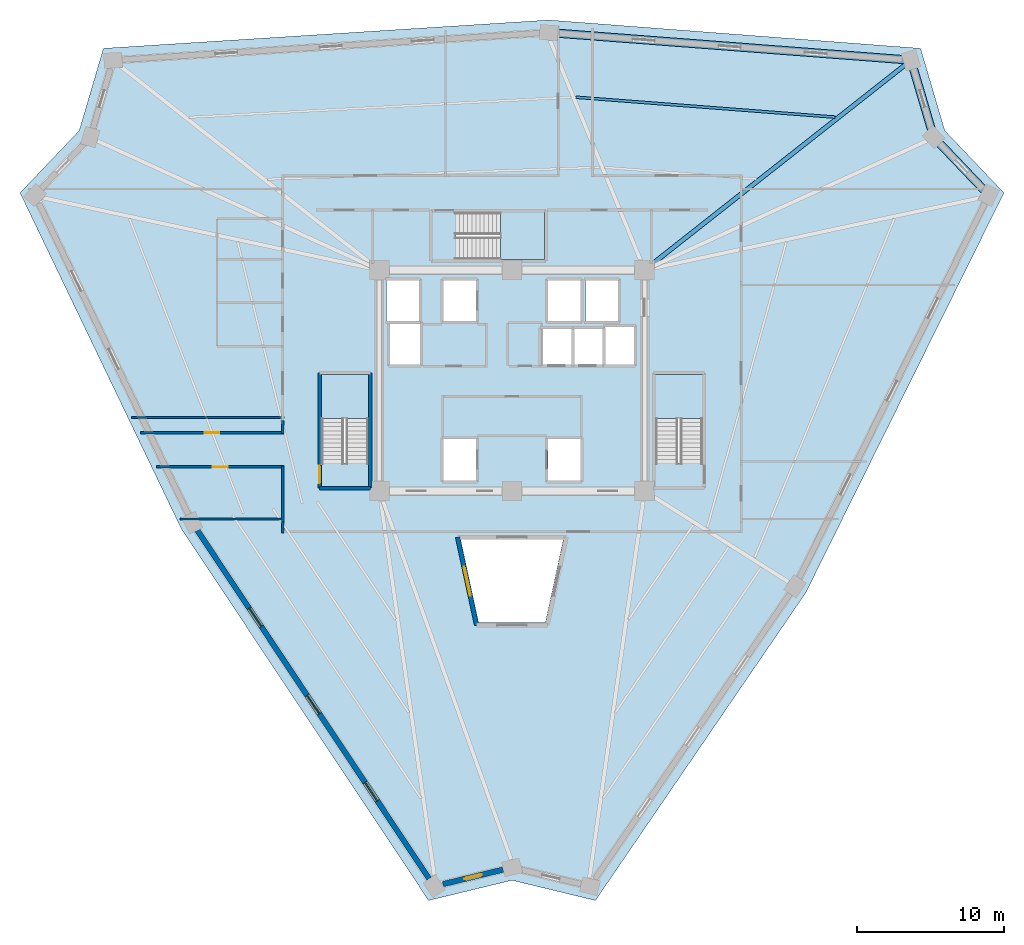
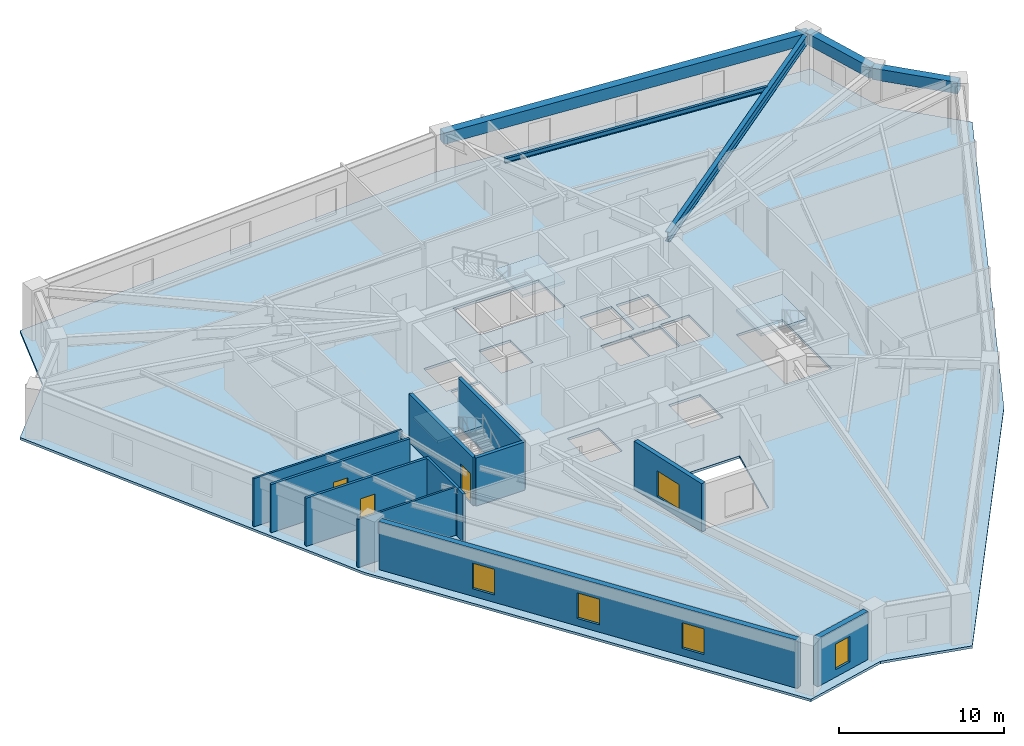
# One storey, part 2 of 8: 13 walls, 5 beams, 5 windows, 4 slabs, 3 doors, 8 openings, 3 elements without a shape of their own.
"""IFC4 building model written with IfcOpenShell, lengths in metres."""

from ifc_helpers import new_model, si_unit, direction, frame, frame_2d, origin, origin_2d, place, context, subcontext, project, spatial, polyline, rectangle, i_section, outline, extrude, source, transform, mapped, material, layer, layer_set, material_profile, profile_set, type_object, element, fill, aggregate, save


model = new_model("IFC4")

# Units and contexts
model_context = context("Model", 3, precision=1e-05, world=origin(), true_north=direction((0.0, 1.0)))
body_context = subcontext(model_context, "Body", "Model", "MODEL_VIEW")
ifc_project = project(units=[si_unit("LENGTHUNIT", "METRE"), si_unit("AREAUNIT", "SQUARE_METRE"), si_unit("VOLUMEUNIT", "CUBIC_METRE"), si_unit("PLANEANGLEUNIT", "RADIAN"), si_unit("MASSUNIT", "GRAM", prefix="KILO")], contexts=[model_context])

# Site, building, storey
site_placement = place(None, origin())
site = spatial("IfcSite", under=ifc_project, at=site_placement, CompositionType="ELEMENT")
building_placement = place(site_placement, origin())
building = spatial("IfcBuilding", under=site, at=building_placement, Name="Liaohun Quay Tower", CompositionType="ELEMENT")
storey_placement = place(building_placement, frame((0.0, 0.0, 243.75)))
storey = spatial("IfcBuildingStorey", under=building, at=storey_placement, Name="L63", CompositionType="ELEMENT", Elevation=243.75)

# Beams
ifc_material_1 = material(Name="Precast concrete C50", Category="concrete")
ifc_material_profile_1 = material_profile(ifc_material_1, rectangle(XDim=0.550048828125, YDim=0.85009765625, at=origin_2d()), Name="RC550x850")
ifc_profile_set_1 = profile_set([ifc_material_profile_1], Name="Precast concrete C50")
beam_type_1 = type_object("IfcBeamType", Name="BM-SPD-Z3", PredefinedType="SPANDREL", material=ifc_profile_set_1)
shared_shape_1 = source(origin(), body_context, "Body", "SweptSolid", [
    extrude(rectangle(XDim=0.550048828125, YDim=0.85009765625, at=origin_2d()), origin(), (0.0, 0.0, 1.0), 24.660400390625),
])
beam_1_placement = place(storey_placement, frame((62.490966796875, 77.6201171875, 3.14501953125), z_axis=(0.997108338578, -0.075993165076, 0.0), x_axis=(0.075993165076, 0.997108338578, 0.0)))
element("IfcBeam", 1, at=beam_1_placement, inside=storey, type_object=beam_type_1, Name="L63 Precast Spandrel Beam PC06-PC07", PredefinedType="SPANDREL", context=body_context, shape_type="MappedRepresentation", body=[
    mapped(shared_shape_1, transform((0.0, 0.0, 0.0), x_axis=(1.0, 0.0, 0.0), y_axis=(0.0, 1.0, 0.0), z_axis=(0.0, 0.0, 1.0), scale=1.0)),
])
shared_shape_2 = source(origin(), body_context, "Body", "SweptSolid", [
    extrude(rectangle(XDim=0.550048828125, YDim=0.85009765625, at=origin_2d()), origin(), (0.0, 0.0, 1.0), 5.444091796875),
])
beam_2_placement = place(storey_placement, frame((87.080078125, 75.74609375, 3.14501953125), z_axis=(0.28265429174, -0.959221846791, 0.0), x_axis=(0.959221846791, 0.28265429174, 0.0)))
element("IfcBeam", 2, at=beam_2_placement, inside=storey, type_object=beam_type_1, Name="L63 Precast Spandrel Beam PC07-PC08", PredefinedType="SPANDREL", context=body_context, shape_type="MappedRepresentation", body=[
    mapped(shared_shape_2, transform((0.0, 0.0, 0.0), x_axis=(1.0, 0.0, 0.0), y_axis=(0.0, 1.0, 0.0), z_axis=(0.0, 0.0, 1.0), scale=1.0)),
])
shared_shape_3 = source(origin(), body_context, "Body", "SweptSolid", [
    extrude(rectangle(XDim=0.550048828125, YDim=0.85009765625, at=origin_2d()), origin(), (0.0, 0.0, 1.0), 5.437255859375),
])
beam_3_placement = place(storey_placement, frame((88.618896484375, 70.52392578125, 3.14501953125), z_axis=(0.689332195413, -0.72444539088, 0.0), x_axis=(0.72444539088, 0.689332195413, 0.0)))
element("IfcBeam", 3, at=beam_3_placement, inside=storey, type_object=beam_type_1, Name="L63 Precast Spandrel Beam PC08-PC09", PredefinedType="SPANDREL", context=body_context, shape_type="MappedRepresentation", body=[
    mapped(shared_shape_3, transform((0.0, 0.0, 0.0), x_axis=(1.0, 0.0, 0.0), y_axis=(0.0, 1.0, 0.0), z_axis=(0.0, 0.0, 1.0), scale=1.0)),
])
ifc_material_2 = material(Name="Steel Q355D", Category="steel")
ifc_material_profile_2 = material_profile(ifc_material_2, i_section(OverallWidth=0.300048828125, OverallDepth=0.699951171875, WebThickness=0.012939453125, FlangeThickness=0.02392578125, at=origin_2d()), Name="HN700x300x13x24")
ifc_profile_set_2 = profile_set([ifc_material_profile_2], Name="Steel Q355D")
beam_type_2 = type_object("IfcBeamType", Name="BM-RAD-U1", PredefinedType="BEAM", material=ifc_profile_set_2)
shared_shape_4 = source(origin(), body_context, "Body", "SweptSolid", [
    extrude(i_section(OverallWidth=0.300048828125, OverallDepth=0.699951171875, WebThickness=0.012939453125, FlangeThickness=0.02392578125, at=origin_2d()), origin(), (0.0, 0.0, 1.0), 22.62939453125),
])
beam_4_placement = place(storey_placement, frame((69.0, 61.5, 3.219970703125), z_axis=(0.785620385804, 0.618708824415, 0.0), x_axis=(-0.618708824415, 0.785620385804, 0.0)))
element("IfcBeam", 4, at=beam_4_placement, inside=storey, type_object=beam_type_2, Name="L63 Radial Primary Girder CC4-PC07", PredefinedType="BEAM", context=body_context, shape_type="MappedRepresentation", body=[
    mapped(shared_shape_4, transform((0.0, 0.0, 0.0), x_axis=(1.0, 0.0, 0.0), y_axis=(0.0, 1.0, 0.0), z_axis=(0.0, 0.0, 1.0), scale=1.0)),
])
ifc_material_profile_3 = material_profile(ifc_material_2, i_section(OverallWidth=0.175048828125, OverallDepth=0.35009765625, WebThickness=0.007080078125, FlangeThickness=0.010986328125, at=origin_2d()), Name="HN350x175x7x11")
ifc_profile_set_3 = profile_set([ifc_material_profile_3], Name="Steel Q355D")
beam_type_3 = type_object("IfcBeamType", Name="BM-SEC-J3", PredefinedType="JOIST", material=ifc_profile_set_3)
shared_shape_5 = source(origin(), body_context, "Body", "SweptSolid", [
    extrude(i_section(OverallWidth=0.175048828125, OverallDepth=0.35009765625, WebThickness=0.007080078125, FlangeThickness=0.010986328125, at=origin_2d()), origin(), (0.0, 0.0, 1.0), 17.656005859375),
])
beam_5_placement = place(storey_placement, frame((64.3310546875, 73.23095703125, 3.39501953125), z_axis=(0.997059363844, -0.076633054037, 0.0), x_axis=(0.076633054037, 0.997059363844, 0.0)))
element("IfcBeam", 5, at=beam_5_placement, inside=storey, type_object=beam_type_3, Name="L63 Wing Secondary Floor Joist SJ-09", PredefinedType="JOIST", context=body_context, shape_type="MappedRepresentation", body=[
    mapped(shared_shape_5, transform((0.0, 0.0, 0.0), x_axis=(1.0, 0.0, 0.0), y_axis=(0.0, 1.0, 0.0), z_axis=(0.0, 0.0, 1.0), scale=1.0)),
])

# Stair, slab
ifc_material_3 = material(Name="Concrete C45", Category="concrete")
stair_type = type_object("IfcStairType", Name="STR-CORE-OFF", PredefinedType="HALF_TURN_STAIR", material=ifc_material_3)
stair_1_placement = place(storey_placement, origin())
stair_1 = element("IfcStair", 6, at=stair_1_placement, inside=storey, type_object=stair_type, Name="L63 Smokeproof Core Exit Stair ST-1", PredefinedType="HALF_TURN_STAIR")
ifc_layer_1 = layer(ifc_material_3, 0.199951171875, Name="Concrete C45", Category="concrete")
ifc_layer_set_1 = layer_set([ifc_layer_1], Name="Concrete C45")
slab_type_1 = type_object("IfcSlabType", Name="SLB-LND-200", PredefinedType="LANDING", material=ifc_layer_set_1)
slab_1_placement = place(storey_placement, frame((0.0, 0.0, 1.675048828125)))
slab_1 = element("IfcSlab", 7, at=slab_1_placement, type_object=slab_type_1, Name="ST-1 landing 1", PredefinedType="LANDING", context=body_context, shape_type="SweptSolid", body=[
    extrude(outline(polyline([(50.280029296875, 51.429931640625), (50.280029296875, 54.419921875), (47.0400390625, 54.419921875), (47.0400390625, 51.429931640625), (50.280029296875, 51.429931640625)])), origin(), (0.0, 0.0, 1.0), 0.199951171875),
])
aggregate(stair_1, [slab_1])

stair_2_placement = place(storey_placement, origin())
stair_2 = element("IfcStair", 8, at=stair_2_placement, inside=storey, type_object=stair_type, Name="L63 Smokeproof Core Exit Stair ST-2", PredefinedType="HALF_TURN_STAIR")
slab_2_placement = place(storey_placement, frame((0.0, 0.0, 1.675048828125)))
slab_2 = element("IfcSlab", 9, at=slab_2_placement, type_object=slab_type_1, Name="ST-2 landing 1", PredefinedType="LANDING", context=body_context, shape_type="SweptSolid", body=[
    extrude(outline(polyline([(72.9599609375, 51.429931640625), (72.9599609375, 54.419921875), (69.719970703125, 54.419921875), (69.719970703125, 51.429931640625), (72.9599609375, 51.429931640625)])), origin(), (0.0, 0.0, 1.0), 0.199951171875),
])
aggregate(stair_2, [slab_2])

stair_3_placement = place(storey_placement, origin())
stair_3 = element("IfcStair", 10, at=stair_3_placement, inside=storey, type_object=stair_type, Name="L63 Smokeproof Core Exit Stair ST-3", PredefinedType="HALF_TURN_STAIR")
slab_3_placement = place(storey_placement, frame((0.0, 0.0, 1.675048828125)))
slab_3 = element("IfcSlab", 11, at=slab_3_placement, type_object=slab_type_1, Name="ST-3 landing 1", PredefinedType="LANDING", context=body_context, shape_type="SweptSolid", body=[
    extrude(outline(polyline([(59.22998046875, 62.199951171875), (62.219970703125, 62.199951171875), (62.219970703125, 65.43994140625), (59.22998046875, 65.43994140625), (59.22998046875, 62.199951171875)])), origin(), (0.0, 0.0, 1.0), 0.199951171875),
])
aggregate(stair_3, [slab_3])

# Slab
ifc_layer_2 = layer(ifc_material_3, 0.179931640625, Name="Concrete C45", Category="concrete")
ifc_layer_set_2 = layer_set([ifc_layer_2], Name="Concrete C45")
slab_type_2 = type_object("IfcSlabType", Name="SLB-OFF-180", PredefinedType="FLOOR", material=ifc_layer_set_2)
slab_4_placement = place(storey_placement, frame((0.0, 0.0, -0.179931640625)))
element("IfcSlab", 12, at=slab_4_placement, inside=storey, type_object=slab_type_2, Name="L63 Structural Floor Slab", PredefinedType="FLOOR", context=body_context, shape_type="SweptSolid", body=[
    extrude(outline(polyline([(54.3369140625, 18.7109375), (60.0, 20.0791015625), (65.6630859375, 18.7109375), (79.945068359375, 39.60302734375), (93.39306640625, 66.739990234375), (89.3759765625, 70.9609375), (87.72998046875, 76.549072265625), (62.49609375, 78.471923828125), (32.27001953125, 76.549072265625), (30.6240234375, 70.9609375), (26.60693359375, 66.739990234375), (37.55908203125, 43.926025390625), (54.3369140625, 18.7109375)]), holes=[polyline([(63.48193359375, 43.199951171875), (56.51806640625, 43.199951171875), (57.737060546875, 37.56298828125), (62.262939453125, 37.56298828125), (63.48193359375, 43.199951171875)]), polyline([(57.56005859375, 47.2099609375), (57.56005859375, 50.030029296875), (55.340087890625, 50.030029296875), (55.340087890625, 47.2099609375), (57.56005859375, 47.2099609375)]), polyline([(50.280029296875, 54.419921875), (47.0400390625, 54.419921875), (47.0400390625, 48.409912109375), (50.280029296875, 48.409912109375), (50.280029296875, 54.419921875)]), polyline([(53.760009765625, 55.090087890625), (53.760009765625, 57.909912109375), (51.7099609375, 57.909912109375), (51.7099609375, 55.090087890625), (53.760009765625, 55.090087890625)]), polyline([(53.7099609375, 58.0400390625), (53.7099609375, 60.7900390625), (51.489990234375, 60.7900390625), (51.489990234375, 58.0400390625), (53.7099609375, 58.0400390625)]), polyline([(57.56005859375, 58.0400390625), (57.56005859375, 60.7900390625), (55.340087890625, 60.7900390625), (55.340087890625, 58.0400390625), (57.56005859375, 58.0400390625)]), polyline([(62.219970703125, 62.199951171875), (62.219970703125, 65.43994140625), (56.2099609375, 65.43994140625), (56.2099609375, 62.199951171875), (62.219970703125, 62.199951171875)]), polyline([(64.659912109375, 50.030029296875), (62.43994140625, 50.030029296875), (62.43994140625, 47.2099609375), (64.659912109375, 47.2099609375), (64.659912109375, 50.030029296875)]), polyline([(72.9599609375, 54.419921875), (69.719970703125, 54.419921875), (69.719970703125, 48.409912109375), (72.9599609375, 48.409912109375), (72.9599609375, 54.419921875)]), polyline([(64.06005859375, 55.090087890625), (64.06005859375, 57.510009765625), (61.989990234375, 57.510009765625), (61.989990234375, 55.090087890625), (64.06005859375, 55.090087890625)]), polyline([(66.159912109375, 55.090087890625), (66.159912109375, 57.510009765625), (64.090087890625, 57.510009765625), (64.090087890625, 55.090087890625), (66.159912109375, 55.090087890625)]), polyline([(68.2900390625, 55.090087890625), (68.2900390625, 57.659912109375), (66.2900390625, 57.659912109375), (66.2900390625, 55.090087890625), (68.2900390625, 55.090087890625)]), polyline([(64.659912109375, 58.0400390625), (64.659912109375, 60.7900390625), (62.43994140625, 60.7900390625), (62.43994140625, 58.0400390625), (64.659912109375, 58.0400390625)]), polyline([(67.2099609375, 58.0400390625), (67.2099609375, 60.7900390625), (64.989990234375, 60.7900390625), (64.989990234375, 58.0400390625), (67.2099609375, 58.0400390625)])]), origin(), (0.0, 0.0, 1.0), 0.179931640625),
])

# Wall, opening, window
ifc_material_4 = material(Name="Concrete C50", Category="concrete")
ifc_layer_3 = layer(ifc_material_4, 0.300048828125, Name="Concrete C50", Category="concrete")
ifc_layer_set_3 = layer_set([ifc_layer_3], Name="Concrete C50")
wall_type_1 = type_object("IfcWallType", Name="WAL-ATR-300", PredefinedType="SOLIDWALL", material=ifc_layer_set_3)
wall_1_placement = place(storey_placement, frame((57.60009765625, 37.39306640625, 0.0), z_axis=(0.0, 0.0, 1.0), x_axis=(-0.211469886749, 0.977384513382, 0.0)))
wall_1 = element("IfcWall", 13, at=wall_1_placement, inside=storey, type_object=wall_type_1, Name="L63 Atrium Fire Compartment Wall 1", PredefinedType="SOLIDWALL", context=body_context, shape_type="SweptSolid", body=[
    extrude(rectangle(XDim=6.115234375, YDim=0.300048828125, at=frame_2d((3.0576171875, 0.0))), origin(), (0.0, 0.0, 1.0), 3.570068359375),
])
shared_shape_6 = source(origin(), body_context, "Body", "SweptSolid", [
    extrude(rectangle(XDim=2.0, YDim=1.89990234375, at=frame_2d((1.0, 0.949951171875))), frame((0.0, 0.159912109375, 0.0), z_axis=(0.0, -1.0, 0.0), x_axis=(1.0, 0.0, 0.0)), (0.0, 0.0, 1.0), 0.320068359375),
])
opening_1_placement = place(wall_1_placement, frame((2.05810546875, 0.0, 0.550048828125)))
opening_1 = element("IfcOpeningElement", 14, at=opening_1_placement, cuts=wall_1, Name="Opening W07", PredefinedType="OPENING", context=body_context, shape_type="MappedRepresentation", body=[
    mapped(shared_shape_6, transform((0.0, 0.0, 0.0), x_axis=(1.0, 0.0, 0.0), y_axis=(0.0, 1.0, 0.0), z_axis=(0.0, 0.0, 1.0), scale=1.0)),
])
ifc_material_5 = material(Name="Class A 180-min fire-resistant insulated glazing", Category="glass")
window_type_1 = type_object("IfcWindowType", Name="WIN-ATR-FIR", PartitioningType="DOUBLE_PANEL_VERTICAL", PredefinedType="WINDOW", material=ifc_material_5)
shared_shape_7 = source(origin(), body_context, "Body", "SweptSolid", [
    extrude(rectangle(XDim=2.0, YDim=1.89990234375, at=frame_2d((1.0, 0.949951171875))), frame((0.0, 0.030029296875, 0.0), z_axis=(0.0, -1.0, 0.0), x_axis=(1.0, 0.0, 0.0)), (0.0, 0.0, 1.0), 0.06005859375),
])
window_1_placement = place(opening_1_placement, origin())
window_1 = element("IfcWindow", 15, at=window_1_placement, inside=storey, type_object=window_type_1, Name="L63 Atrium Fire-Resistant Glazing W07-1", OverallHeight=1.89990234375, OverallWidth=2.0, PartitioningType="DOUBLE_PANEL_VERTICAL", PredefinedType="WINDOW", context=body_context, shape_type="MappedRepresentation", body=[
    mapped(shared_shape_7, transform((0.0, 0.0, 0.0), x_axis=(1.0, 0.0, 0.0), y_axis=(0.0, 1.0, 0.0), z_axis=(0.0, 0.0, 1.0), scale=1.0)),
])
fill(opening_1, window_1)

# Wall, openings, windows
ifc_material_6 = material(Name="Precast concrete C50 insulated sandwich", Category="concrete")
ifc_layer_4 = layer(ifc_material_6, 0.3798828125, Name="Precast concrete C50 insulated sandwich", Category="concrete")
ifc_layer_set_4 = layer_set([ifc_layer_4], Name="Precast concrete C50 insulated sandwich")
wall_type_2 = type_object("IfcWallType", Name="WAL-EXT-Z34", PredefinedType="SOLIDWALL", material=ifc_layer_set_4)
wall_2_placement = place(storey_placement, frame((38.64111328125, 43.8349609375, 0.0), z_axis=(0.0, 0.0, 1.0), x_axis=(0.553942197413, -0.83255512846, 0.0)))
wall_2 = element("IfcWall", 16, at=wall_2_placement, inside=storey, type_object=wall_type_2, Name="L63 Brutalist Precast Pier Wall 11", PredefinedType="SOLIDWALL", context=body_context, shape_type="SweptSolid", body=[
    extrude(rectangle(XDim=28.401611328125, YDim=0.3798828125, at=frame_2d((14.20068359375, 0.0))), origin(), (0.0, 0.0, 1.0), 3.570068359375),
])
shared_shape_8 = source(origin(), body_context, "Body", "SweptSolid", [
    extrude(rectangle(XDim=1.5, YDim=1.89990234375, at=frame_2d((0.75, 0.949951171875))), frame((0.0, 0.199951171875, 0.0), z_axis=(0.0, -1.0, 0.0), x_axis=(1.0, 0.0, 0.0)), (0.0, 0.0, 1.0), 0.39990234375),
])
opening_2_placement = place(wall_2_placement, frame((6.35009765625, 0.0, 0.550048828125)))
opening_2 = element("IfcOpeningElement", 17, at=opening_2_placement, cuts=wall_2, Name="Opening W03", PredefinedType="OPENING", context=body_context, shape_type="MappedRepresentation", body=[
    mapped(shared_shape_8, transform((0.0, 0.0, 0.0), x_axis=(1.0, 0.0, 0.0), y_axis=(0.0, 1.0, 0.0), z_axis=(0.0, 0.0, 1.0), scale=1.0)),
])
opening_3_placement = place(wall_2_placement, frame((13.450927734375, 0.0, 0.550048828125)))
opening_3 = element("IfcOpeningElement", 18, at=opening_3_placement, cuts=wall_2, Name="Opening W03", PredefinedType="OPENING", context=body_context, shape_type="MappedRepresentation", body=[
    mapped(shared_shape_8, transform((0.0, 0.0, 0.0), x_axis=(1.0, 0.0, 0.0), y_axis=(0.0, 1.0, 0.0), z_axis=(0.0, 0.0, 1.0), scale=1.0)),
])
opening_4_placement = place(wall_2_placement, frame((20.551025390625, 0.0, 0.550048828125)))
opening_4 = element("IfcOpeningElement", 19, at=opening_4_placement, cuts=wall_2, Name="Opening W03", PredefinedType="OPENING", context=body_context, shape_type="MappedRepresentation", body=[
    mapped(shared_shape_8, transform((0.0, 0.0, 0.0), x_axis=(1.0, 0.0, 0.0), y_axis=(0.0, 1.0, 0.0), z_axis=(0.0, 0.0, 1.0), scale=1.0)),
])
ifc_material_7 = material(Name="Triple Low-E argon glazing in thermally broken aluminium", Category="aluminium")
window_type_2 = type_object("IfcWindowType", Name="WIN-PUN-Z3", PartitioningType="DOUBLE_PANEL_VERTICAL", PredefinedType="WINDOW", material=ifc_material_7)
shared_shape_9 = source(origin(), body_context, "Body", "SweptSolid", [
    extrude(rectangle(XDim=1.5, YDim=1.89990234375, at=frame_2d((0.75, 0.949951171875))), frame((0.0, 0.030029296875, 0.0), z_axis=(0.0, -1.0, 0.0), x_axis=(1.0, 0.0, 0.0)), (0.0, 0.0, 1.0), 0.06005859375),
])
window_2_placement = place(opening_2_placement, origin())
window_2 = element("IfcWindow", 20, at=window_2_placement, inside=storey, type_object=window_type_2, Name="L63 Recessed Cold-Climate Punched Window 11-1", OverallHeight=1.89990234375, OverallWidth=1.5, PartitioningType="DOUBLE_PANEL_VERTICAL", PredefinedType="WINDOW", context=body_context, shape_type="MappedRepresentation", body=[
    mapped(shared_shape_9, transform((0.0, 0.0, 0.0), x_axis=(1.0, 0.0, 0.0), y_axis=(0.0, 1.0, 0.0), z_axis=(0.0, 0.0, 1.0), scale=1.0)),
])
fill(opening_2, window_2)
window_3_placement = place(opening_3_placement, origin())
window_3 = element("IfcWindow", 21, at=window_3_placement, inside=storey, type_object=window_type_2, Name="L63 Recessed Cold-Climate Punched Window 11-2", OverallHeight=1.89990234375, OverallWidth=1.5, PartitioningType="DOUBLE_PANEL_VERTICAL", PredefinedType="WINDOW", context=body_context, shape_type="MappedRepresentation", body=[
    mapped(shared_shape_9, transform((0.0, 0.0, 0.0), x_axis=(1.0, 0.0, 0.0), y_axis=(0.0, 1.0, 0.0), z_axis=(0.0, 0.0, 1.0), scale=1.0)),
])
fill(opening_3, window_3)
window_4_placement = place(opening_4_placement, origin())
window_4 = element("IfcWindow", 22, at=window_4_placement, inside=storey, type_object=window_type_2, Name="L63 Recessed Cold-Climate Punched Window 11-3", OverallHeight=1.89990234375, OverallWidth=1.5, PartitioningType="DOUBLE_PANEL_VERTICAL", PredefinedType="WINDOW", context=body_context, shape_type="MappedRepresentation", body=[
    mapped(shared_shape_9, transform((0.0, 0.0, 0.0), x_axis=(1.0, 0.0, 0.0), y_axis=(0.0, 1.0, 0.0), z_axis=(0.0, 0.0, 1.0), scale=1.0)),
])
fill(opening_4, window_4)

# Wall, opening, window
wall_3_placement = place(storey_placement, frame((55.31298828125, 19.821044921875, 0.0), z_axis=(0.0, 0.0, 1.0), x_axis=(0.972027407526, 0.234867449893, 0.0)))
wall_3 = element("IfcWall", 23, at=wall_3_placement, inside=storey, type_object=wall_type_2, Name="L63 Brutalist Precast Pier Wall 12", PredefinedType="SOLIDWALL", context=body_context, shape_type="SweptSolid", body=[
    extrude(rectangle(XDim=4.206787109375, YDim=0.3798828125, at=frame_2d((2.103515625, 0.0))), origin(), (0.0, 0.0, 1.0), 3.570068359375),
])
shared_shape_10 = source(origin(), body_context, "Body", "SweptSolid", [
    extrude(rectangle(XDim=1.199951171875, YDim=1.89990234375, at=frame_2d((0.60009765625, 0.949951171875))), frame((0.0, 0.199951171875, 0.0), z_axis=(0.0, -1.0, 0.0), x_axis=(1.0, 0.0, 0.0)), (0.0, 0.0, 1.0), 0.39990234375),
])
opening_5_placement = place(wall_3_placement, frame((1.5029296875, 0.0, 0.550048828125)))
opening_5 = element("IfcOpeningElement", 24, at=opening_5_placement, cuts=wall_3, Name="Opening W05", PredefinedType="OPENING", context=body_context, shape_type="MappedRepresentation", body=[
    mapped(shared_shape_10, transform((0.0, 0.0, 0.0), x_axis=(1.0, 0.0, 0.0), y_axis=(0.0, 1.0, 0.0), z_axis=(0.0, 0.0, 1.0), scale=1.0)),
])
ifc_material_8 = material(Name="Triple Low-E corner notch glazing", Category="glass")
window_type_3 = type_object("IfcWindowType", Name="WIN-NOTCH", PartitioningType="SINGLE_PANEL", PredefinedType="WINDOW", material=ifc_material_8)
shared_shape_11 = source(origin(), body_context, "Body", "SweptSolid", [
    extrude(rectangle(XDim=1.199951171875, YDim=1.89990234375, at=frame_2d((0.60009765625, 0.949951171875))), frame((0.0, 0.030029296875, 0.0), z_axis=(0.0, -1.0, 0.0), x_axis=(1.0, 0.0, 0.0)), (0.0, 0.0, 1.0), 0.06005859375),
])
window_5_placement = place(opening_5_placement, origin())
window_5 = element("IfcWindow", 25, at=window_5_placement, inside=storey, type_object=window_type_3, Name="L63 Corner Notch Window W05-12", OverallHeight=1.89990234375, OverallWidth=1.199951171875, PartitioningType="SINGLE_PANEL", PredefinedType="WINDOW", context=body_context, shape_type="MappedRepresentation", body=[
    mapped(shared_shape_11, transform((0.0, 0.0, 0.0), x_axis=(1.0, 0.0, 0.0), y_axis=(0.0, 1.0, 0.0), z_axis=(0.0, 0.0, 1.0), scale=1.0)),
])
fill(opening_5, window_5)

# Wall, opening, door
ifc_material_9 = material(Name="Autoclaved aerated concrete blockwork", Category="masonry")
ifc_layer_5 = layer(ifc_material_9, 0.179931640625, Name="Autoclaved aerated concrete blockwork", Category="masonry")
ifc_layer_set_5 = layer_set([ifc_layer_5], Name="Autoclaved aerated concrete blockwork")
wall_type_3 = type_object("IfcWallType", Name="WAL-PRT-COR", PredefinedType="PARTITIONING", material=ifc_layer_set_5)
wall_4_placement = place(storey_placement, frame((34.77392578125, 50.4599609375, 0.0), z_axis=(0.0, 0.0, 1.0), x_axis=(1.0, 0.0, 0.0)))
wall_4 = element("IfcWall", 26, at=wall_4_placement, inside=storey, type_object=wall_type_3, Name="L63 Interior Partition Wall 017", PredefinedType="PARTITIONING", context=body_context, shape_type="SweptSolid", body=[
    extrude(rectangle(XDim=9.736083984375, YDim=0.179931640625, at=frame_2d((4.8681640625, 0.0))), origin(), (0.0, 0.0, 1.0), 3.570068359375),
])
shared_shape_12 = source(origin(), body_context, "Body", "SweptSolid", [
    extrude(rectangle(XDim=1.0, YDim=2.199951171875, at=frame_2d((0.5, 1.10009765625))), frame((0.0, 0.099853515625, 0.0), z_axis=(0.0, -1.0, 0.0), x_axis=(1.0, 0.0, 0.0)), (0.0, 0.0, 1.0), 0.199951171875),
])
opening_6_placement = place(wall_4_placement, frame((4.367919921875, 0.0, 0.0)))
opening_6 = element("IfcOpeningElement", 27, at=opening_6_placement, cuts=wall_4, Name="Opening OD1", PredefinedType="OPENING", context=body_context, shape_type="MappedRepresentation", body=[
    mapped(shared_shape_12, transform((0.0, 0.0, 0.0), x_axis=(1.0, 0.0, 0.0), y_axis=(0.0, 1.0, 0.0), z_axis=(0.0, 0.0, 1.0), scale=1.0)),
])
ifc_material_10 = material(Name="Solid-core oak veneer timber leaf in steel frame", Category="steel")
door_type_1 = type_object("IfcDoorType", Name="DOR-OFF-1000", OperationType="NOTDEFINED", PredefinedType="DOOR", material=ifc_material_10)
shared_shape_13 = source(origin(), body_context, "Body", "SweptSolid", [
    extrude(rectangle(XDim=1.0, YDim=2.199951171875, at=frame_2d((0.5, 1.10009765625))), frame((0.0, 0.02490234375, 0.0), z_axis=(0.0, -1.0, 0.0), x_axis=(1.0, 0.0, 0.0)), (0.0, 0.0, 1.0), 0.050048828125),
])
door_1_placement = place(opening_6_placement, origin())
door_1 = element("IfcDoor", 28, at=door_1_placement, inside=storey, type_object=door_type_1, Name="L63 Digital Prototyping Laboratory 07 Door", OperationType="SINGLE_SWING_LEFT", OverallHeight=2.199951171875, OverallWidth=1.0, PredefinedType="DOOR", context=body_context, shape_type="MappedRepresentation", body=[
    mapped(shared_shape_13, transform((0.0, 0.0, 0.0), x_axis=(1.0, 0.0, 0.0), y_axis=(0.0, 1.0, 0.0), z_axis=(0.0, 0.0, 1.0), scale=1.0)),
])
fill(opening_6, door_1)

wall_5_placement = place(storey_placement, frame((44.510009765625, 48.139892578125, 0.0), z_axis=(0.0, 0.0, 1.0), x_axis=(-1.0, 0.0, 0.0)))
wall_5 = element("IfcWall", 29, at=wall_5_placement, inside=storey, type_object=wall_type_3, Name="L63 Interior Partition Wall 018", PredefinedType="PARTITIONING", context=body_context, shape_type="SweptSolid", body=[
    extrude(rectangle(XDim=8.6220703125, YDim=0.179931640625, at=frame_2d((4.31103515625, 0.0))), origin(), (0.0, 0.0, 1.0), 3.570068359375),
])
opening_7_placement = place(wall_5_placement, frame((3.81103515625, 0.0, 0.0)))
opening_7 = element("IfcOpeningElement", 30, at=opening_7_placement, cuts=wall_5, Name="Opening OD1", PredefinedType="OPENING", context=body_context, shape_type="MappedRepresentation", body=[
    mapped(shared_shape_12, transform((0.0, 0.0, 0.0), x_axis=(1.0, 0.0, 0.0), y_axis=(0.0, 1.0, 0.0), z_axis=(0.0, 0.0, 1.0), scale=1.0)),
])
door_2_placement = place(opening_7_placement, origin())
door_2 = element("IfcDoor", 31, at=door_2_placement, inside=storey, type_object=door_type_1, Name="L63 Engineering Model Workshop 08 Door", OperationType="SINGLE_SWING_RIGHT", OverallHeight=2.199951171875, OverallWidth=1.0, PredefinedType="DOOR", context=body_context, shape_type="MappedRepresentation", body=[
    mapped(shared_shape_13, transform((0.0, 0.0, 0.0), x_axis=(1.0, 0.0, 0.0), y_axis=(0.0, 1.0, 0.0), z_axis=(0.0, 0.0, 1.0), scale=1.0)),
])
fill(opening_7, door_2)

# Walls
wall_6_placement = place(storey_placement, frame((44.43994140625, 50.389892578125, 0.0), z_axis=(0.0, 0.0, 1.0), x_axis=(0.0, 1.0, 0.0)))
element("IfcWall", 32, at=wall_6_placement, inside=storey, type_object=wall_type_3, Name="L63 Interior Partition Wall 036", PredefinedType="PARTITIONING", context=body_context, shape_type="SweptSolid", body=[
    extrude(rectangle(XDim=0.89501953125, YDim=0.179931640625, at=frame_2d((0.447509765625, 0.0))), origin(), (0.0, 0.0, 1.0), 3.205078125),
])
wall_7_placement = place(storey_placement, frame((44.43994140625, 44.385009765625, 0.0), z_axis=(0.0, 0.0, 1.0), x_axis=(0.0, 1.0, 0.0)))
element("IfcWall", 33, at=wall_7_placement, inside=storey, type_object=wall_type_3, Name="L63 Interior Partition Wall 037", PredefinedType="PARTITIONING", context=body_context, shape_type="SweptSolid", body=[
    extrude(rectangle(XDim=3.824951171875, YDim=0.179931640625, at=frame_2d((1.91259765625, 0.0))), origin(), (0.0, 0.0, 1.0), 3.570068359375),
])
wall_8_placement = place(storey_placement, frame((44.43994140625, 43.669921875, 0.0), z_axis=(0.0, 0.0, 1.0), x_axis=(0.0, 1.0, 0.0)))
element("IfcWall", 34, at=wall_8_placement, inside=storey, type_object=wall_type_3, Name="L63 Interior Partition Wall 038", PredefinedType="PARTITIONING", context=body_context, shape_type="SweptSolid", body=[
    extrude(rectangle(XDim=0.715087890625, YDim=0.179931640625, at=frame_2d((0.357421875, 0.0))), origin(), (0.0, 0.0, 1.0), 3.570068359375),
])
ifc_material_11 = material(Name="Gypsum board on twin steel studs", Category="steel")
ifc_layer_6 = layer(ifc_material_11, 0.139892578125, Name="Gypsum board on twin steel studs", Category="steel")
ifc_layer_set_6 = layer_set([ifc_layer_6], Name="Gypsum board on twin steel studs")
wall_type_4 = type_object("IfcWallType", Name="WAL-PRT-OFF", PredefinedType="PARTITIONING", material=ifc_layer_set_6)
wall_9_placement = place(storey_placement, frame((44.5400390625, 44.60009765625, 0.0), z_axis=(0.0, 0.0, 1.0), x_axis=(-1.0, 0.0, 0.0)))
element("IfcWall", 35, at=wall_9_placement, inside=storey, type_object=wall_type_4, Name="L63 Interior Partition Wall 040", PredefinedType="PARTITIONING", context=body_context, shape_type="SweptSolid", body=[
    extrude(rectangle(XDim=7.06103515625, YDim=0.139892578125, at=frame_2d((3.530517578125, 0.0))), origin(), (0.0, 0.0, 1.0), 3.570068359375),
])
wall_10_placement = place(storey_placement, frame((44.5400390625, 51.5, 0.0), z_axis=(0.0, 0.0, 1.0), x_axis=(-1.0, 0.0, 0.0)))
element("IfcWall", 36, at=wall_10_placement, inside=storey, type_object=wall_type_4, Name="L63 Interior Partition Wall 041", PredefinedType="PARTITIONING", context=body_context, shape_type="SweptSolid", body=[
    extrude(rectangle(XDim=10.373046875, YDim=0.139892578125, at=frame_2d((5.1865234375, 0.0))), origin(), (0.0, 0.0, 1.0), 3.570068359375),
])
ifc_layer_7 = layer(ifc_material_4, 0.239990234375, Name="Concrete C50", Category="concrete")
ifc_layer_set_7 = layer_set([ifc_layer_7], Name="Concrete C50")
wall_type_5 = type_object("IfcWallType", Name="WAL-SHF-200", PredefinedType="SOLIDWALL", material=ifc_layer_set_7)
wall_11_placement = place(storey_placement, frame((46.93994140625, 46.699951171875, 0.0), z_axis=(0.0, 0.0, 1.0), x_axis=(1.0, 0.0, 0.0)))
element("IfcWall", 37, at=wall_11_placement, inside=storey, type_object=wall_type_5, Name="L63 Stairwell ST-1 Structural Core Wall S", PredefinedType="SOLIDWALL", context=body_context, shape_type="SweptSolid", body=[
    extrude(rectangle(XDim=3.43994140625, YDim=0.239990234375, at=frame_2d((1.719970703125, 0.0))), origin(), (0.0, 0.0, 1.0), 3.570068359375),
])
wall_12_placement = place(storey_placement, frame((50.3798828125, 46.699951171875, 0.0), z_axis=(0.0, 0.0, 1.0), x_axis=(0.0, 1.0, 0.0)))
element("IfcWall", 38, at=wall_12_placement, inside=storey, type_object=wall_type_5, Name="L63 Stairwell ST-1 Structural Core Wall E", PredefinedType="SOLIDWALL", context=body_context, shape_type="SweptSolid", body=[
    extrude(rectangle(XDim=7.820068359375, YDim=0.239990234375, at=frame_2d((3.91015625, 0.0))), origin(), (0.0, 0.0, 1.0), 3.570068359375),
])

# Wall, opening, door
wall_13_placement = place(storey_placement, frame((46.93994140625, 54.52001953125, 0.0), z_axis=(0.0, 0.0, 1.0), x_axis=(0.0, -1.0, 0.0)))
wall_13 = element("IfcWall", 39, at=wall_13_placement, inside=storey, type_object=wall_type_5, Name="L63 Stairwell ST-1 Structural Core Wall W", PredefinedType="SOLIDWALL", context=body_context, shape_type="SweptSolid", body=[
    extrude(rectangle(XDim=7.820068359375, YDim=0.239990234375, at=frame_2d((3.91015625, 0.0))), origin(), (0.0, 0.0, 1.0), 3.570068359375),
])
shared_shape_14 = source(origin(), body_context, "Body", "SweptSolid", [
    extrude(rectangle(XDim=1.199951171875, YDim=2.199951171875, at=frame_2d((0.60009765625, 1.10009765625))), frame((0.0, 0.1298828125, 0.0), z_axis=(0.0, -1.0, 0.0), x_axis=(1.0, 0.0, 0.0)), (0.0, 0.0, 1.0), 0.260009765625),
])
opening_8_placement = place(wall_13_placement, frame((6.300048828125, 0.0, 0.0)))
opening_8 = element("IfcOpeningElement", 40, at=opening_8_placement, cuts=wall_13, Name="Opening SD1", PredefinedType="OPENING", context=body_context, shape_type="MappedRepresentation", body=[
    mapped(shared_shape_14, transform((0.0, 0.0, 0.0), x_axis=(1.0, 0.0, 0.0), y_axis=(0.0, 1.0, 0.0), z_axis=(0.0, 0.0, 1.0), scale=1.0)),
])
ifc_material_12 = material(Name="Galvanised steel fire door", Category="steel")
door_type_2 = type_object("IfcDoorType", Name="DOR-STR-1200", OperationType="NOTDEFINED", PredefinedType="DOOR", material=ifc_material_12)
shared_shape_15 = source(origin(), body_context, "Body", "SweptSolid", [
    extrude(rectangle(XDim=1.199951171875, YDim=2.199951171875, at=frame_2d((0.60009765625, 1.10009765625))), frame((0.0, 0.02490234375, 0.0), z_axis=(0.0, -1.0, 0.0), x_axis=(1.0, 0.0, 0.0)), (0.0, 0.0, 1.0), 0.050048828125),
])
door_3_placement = place(opening_8_placement, origin())
door_3 = element("IfcDoor", 41, at=door_3_placement, inside=storey, type_object=door_type_2, Name="L63 Protected Stair ST-1 Fire Door", OperationType="SINGLE_SWING_LEFT", OverallHeight=2.199951171875, OverallWidth=1.199951171875, PredefinedType="DOOR", context=body_context, shape_type="MappedRepresentation", body=[
    mapped(shared_shape_15, transform((0.0, 0.0, 0.0), x_axis=(1.0, 0.0, 0.0), y_axis=(0.0, 1.0, 0.0), z_axis=(0.0, 0.0, 1.0), scale=1.0)),
])
fill(opening_8, door_3)

save(model, "model.ifc")
